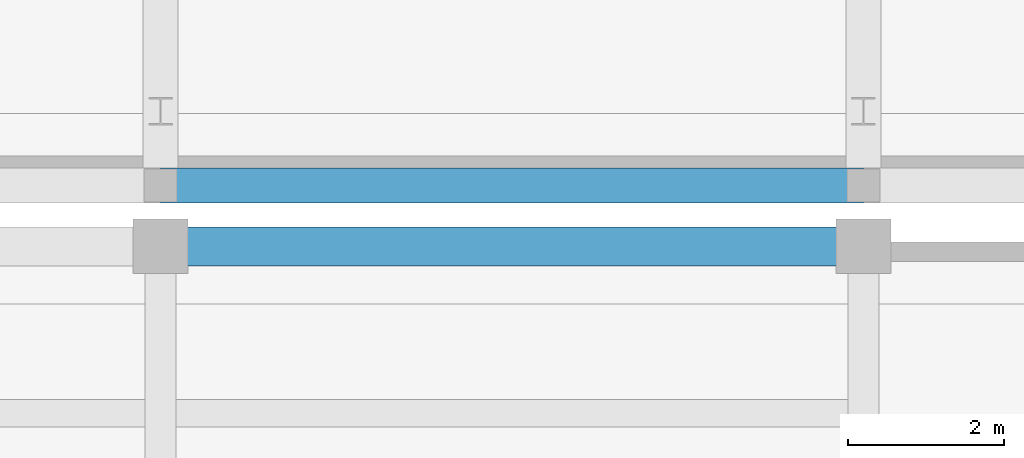
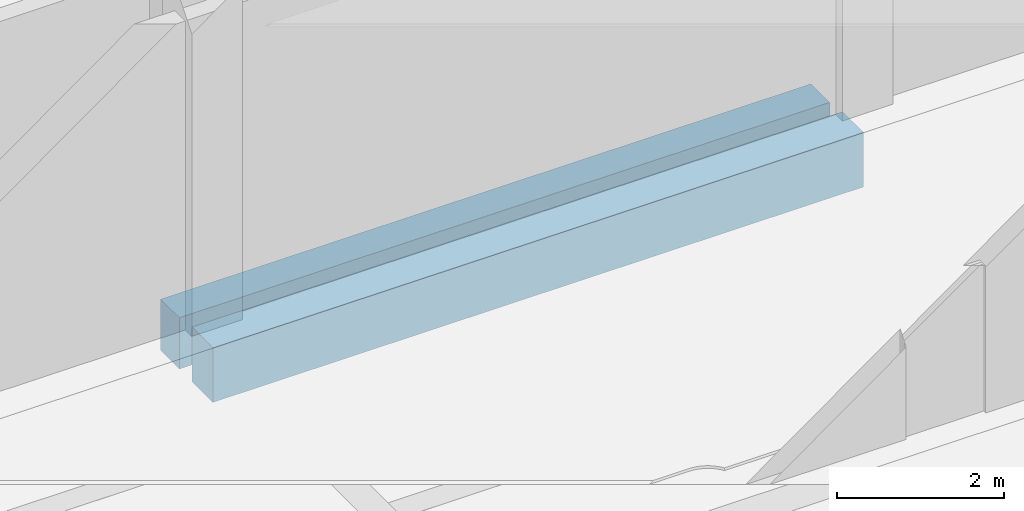
# One storey, part 85 of 151: 2 beams.
"""IFC4 building model written with IfcOpenShell, lengths in metres."""

import ifcopenshell
import ifcopenshell.guid

model = None  # the IFC model being written
_history = None  # IfcOwnerHistory: only IFC2X3 demands one
_inside = {}  # id of a spatial element -> (the spatial element, [elements in it])
_under = {}  # id of a project, library or spatial element -> (it, [spatial elements below it])
_declared = {}  # id of a project -> (the project, [libraries it declares])
_typed = {}  # id of a type object -> (the type object, [elements of that type])
_made_of = {}  # id of a material, layer set ... -> (it, [elements and type objects made of it])


def new_model(schema):
    """Start an empty IFC model of exactly this schema.

    Asked for "IFC4X3", IfcOpenShell would pick the latest addendum, in which some entities
    have other attributes; the version numbers below select the first issue.
    IFC2X3 requires an IfcOwnerHistory on every rooted entity: one is made here for all.
    """
    global model, _history
    if schema == "IFC4X3":
        model = ifcopenshell.file(schema_version=(4, 3, 0, 0))
    else:
        model = ifcopenshell.file(schema=schema)
    _inside.clear()
    _under.clear()
    _declared.clear()
    _typed.clear()
    _made_of.clear()
    _history = None
    if model.schema == "IFC2X3":
        org = make("IfcOrganization", Name="unknown")
        user = make(
            "IfcPersonAndOrganization",
            ThePerson=make("IfcPerson", FamilyName="unknown"),
            TheOrganization=org,
        )
        app = make(
            "IfcApplication",
            ApplicationDeveloper=org,
            Version="unknown",
            ApplicationFullName="unknown",
            ApplicationIdentifier="unknown",
        )
        _history = make(
            "IfcOwnerHistory",
            OwningUser=user,
            OwningApplication=app,
            ChangeAction="ADDED",
            CreationDate=0,
        )
    return model


def make(cls, **values):
    """One entity of the class cls with the attributes given. An attribute that is None is left unset."""
    return model.create_entity(
        cls, **{name: value for name, value in values.items() if value is not None}
    )


def rooted(cls, **values):
    """An entity with a GlobalId (a new one), such as an element, a storey or a relation."""
    return make(cls, GlobalId=ifcopenshell.guid.new(), OwnerHistory=_history, **values)


def si_unit(unit_type, name, prefix=None):
    """IfcSIUnit, for example si_unit("LENGTHUNIT", "METRE", prefix="MILLI")."""
    return make("IfcSIUnit", UnitType=unit_type, Prefix=prefix, Name=name)


def assignment(units):
    """IfcUnitAssignment: the units of a project."""
    return None if units is None else make("IfcUnitAssignment", Units=units)


def point(xyz):
    """IfcCartesianPoint."""
    return None if xyz is None else make("IfcCartesianPoint", Coordinates=xyz)


def direction(xyz):
    """IfcDirection."""
    return None if xyz is None else make("IfcDirection", DirectionRatios=xyz)


def frame(location, z_axis=None, x_axis=None):
    """IfcAxis2Placement3D, a coordinate frame: its origin and axes. An axis left out is left unset."""
    return make(
        "IfcAxis2Placement3D",
        Location=point(location),
        Axis=direction(z_axis),
        RefDirection=direction(x_axis),
    )


def frame_2d(location, x_axis=None):
    """IfcAxis2Placement2D, a coordinate frame in the plane: its origin and x axis."""
    return make(
        "IfcAxis2Placement2D", Location=point(location), RefDirection=direction(x_axis)
    )


def origin():
    """The frame at (0, 0, 0) with its axes left unset."""
    return frame((0.0, 0.0, 0.0))


def origin_2d():
    """The frame at (0, 0) in the plane with its x axis left unset."""
    return frame_2d((0.0, 0.0))


def place(relative_to, where):
    """IfcLocalPlacement: puts the frame where relative to a parent placement (None: the world)."""
    return make(
        "IfcLocalPlacement", PlacementRelTo=relative_to, RelativePlacement=where
    )


def context(
    kind, dimensions, precision=None, world=None, true_north=None, identifier=None
):
    """IfcGeometricRepresentationContext, for example the 3D "Model" context."""
    return make(
        "IfcGeometricRepresentationContext",
        ContextIdentifier=identifier,
        ContextType=kind,
        CoordinateSpaceDimension=dimensions,
        Precision=precision,
        WorldCoordinateSystem=world,
        TrueNorth=true_north,
    )


def subcontext(parent, identifier, kind, view, scale=None):
    """IfcGeometricRepresentationSubContext, for example "Body" below "Model"."""
    return make(
        "IfcGeometricRepresentationSubContext",
        ContextIdentifier=identifier,
        ContextType=kind,
        ParentContext=parent,
        TargetScale=scale,
        TargetView=view,
    )


def project(units=None, contexts=None):
    """IfcProject with its units and contexts."""
    return rooted(
        "IfcProject",
        Name="project",
        RepresentationContexts=contexts,
        UnitsInContext=assignment(units),
    )


def spatial(cls, under=None, at=None, **own):
    """A site, building, storey or space (cls), placed at a placement, below another one or the project."""
    s = rooted(cls, ObjectPlacement=at, **own)
    if under is not None:
        _under.setdefault(under.id(), (under, []))[1].append(s)
    return s


def profile(cls, at=None, kind="AREA", **sizes):
    """A parametric profile (cls). Its sizes go by their IFC names, for example OverallWidth=200.0."""
    return make(cls, ProfileType=kind, Position=at, **sizes)


def rectangle(**sizes):
    """IfcRectangleProfileDef."""
    return profile("IfcRectangleProfileDef", **sizes)


def extrude(swept, where, along, depth):
    """IfcExtrudedAreaSolid: the profile swept, set in the frame where, extruded along a direction by depth."""
    return make(
        "IfcExtrudedAreaSolid",
        SweptArea=swept,
        Position=where,
        ExtrudedDirection=direction(along),
        Depth=depth,
    )


def shape(context_of_items, identifier, shape_type, items):
    """IfcShapeRepresentation: the items that make up one representation, for example the "Body"."""
    return make(
        "IfcShapeRepresentation",
        ContextOfItems=context_of_items,
        RepresentationIdentifier=identifier,
        RepresentationType=shape_type,
        Items=items,
    )


def material(Name=None, Category=None):
    """IfcMaterial."""
    return make("IfcMaterial", Name=Name, Category=Category)


def material_profile(
    of_material, cross_section, Name=None, Category=None, Priority=None
):
    """IfcMaterialProfile: a cross section and its material."""
    return make(
        "IfcMaterialProfile",
        Name=Name,
        Material=of_material,
        Profile=cross_section,
        Priority=Priority,
        Category=Category,
    )


def profile_set(profiles, Name=None, composite=None):
    """IfcMaterialProfileSet."""
    return make(
        "IfcMaterialProfileSet",
        Name=Name,
        MaterialProfiles=profiles,
        CompositeProfile=composite,
    )


def made_of(thing, what):
    """Note that an element or type object is made of a material, layer set ...; save() writes the relation."""
    if what is not None:
        _made_of.setdefault(what.id(), (what, []))[1].append(thing)
    return thing


def type_object(cls, material=None, **own):
    """A type object (cls), such as IfcWallType, which elements share."""
    return made_of(rooted(cls, **own), material)


def element(
    cls,
    number,
    at=None,
    inside=None,
    cuts=None,
    type_object=None,
    material=None,
    context=None,
    identifier="Body",
    shape_type=None,
    held_by="IfcProductDefinitionShape",
    body=None,
    shapes=None,
    **own,
):
    """One element of the class cls, such as IfcWall. Its Tag is "e" and its number.

    at: its placement. inside: the storey or other place that contains it. cuts: it is an
    opening in that element (IfcRelVoidsElement). A single representation is given by context,
    identifier, shape_type and body (its items); several are given by shapes. held_by: the class
    of the entity that holds the representations. save() writes the other relations.
    """
    e = rooted(cls, Tag="e%d" % number, ObjectPlacement=at, **own)
    if body is not None:
        shapes = [shape(context, identifier, shape_type, body)]
    if shapes is not None:
        e.Representation = make(held_by, Representations=shapes)
    if inside is not None:
        _inside.setdefault(inside.id(), (inside, []))[1].append(e)
    if cuts is not None:
        rooted(
            "IfcRelVoidsElement", RelatingBuildingElement=cuts, RelatedOpeningElement=e
        )
    if type_object is not None:
        _typed.setdefault(type_object.id(), (type_object, []))[1].append(e)
    return made_of(e, material)


def aggregate(whole, parts):
    """IfcRelAggregates: a whole, such as a stair, and the parts it consists of."""
    return rooted("IfcRelAggregates", RelatingObject=whole, RelatedObjects=parts)


def save(model, path):
    """Write the relations noted so far, then the file.

    IfcRelAggregates (storeys below a building ...), IfcRelContainedInSpatialStructure (elements
    in a storey), IfcRelDefinesByType, IfcRelAssociatesMaterial and IfcRelDeclares: one each for
    every whole, place, type object, material and project.
    """
    for whole, parts in _under.values():
        aggregate(whole, parts)
    for where, things in _inside.values():
        rooted(
            "IfcRelContainedInSpatialStructure",
            RelatedElements=things,
            RelatingStructure=where,
        )
    for kind, things in _typed.values():
        rooted("IfcRelDefinesByType", RelatedObjects=things, RelatingType=kind)
    for what, things in _made_of.values():
        rooted("IfcRelAssociatesMaterial", RelatedObjects=things, RelatingMaterial=what)
    for by, libraries in _declared.values():
        rooted("IfcRelDeclares", RelatingContext=by, RelatedDefinitions=libraries)
    model.write(path)


model = new_model("IFC4")

# Units and contexts
model_context = context("Model", 3, precision=1e-05, world=origin(), true_north=direction((0.0, 1.0)))
body_context = subcontext(model_context, "Body", "Model", "MODEL_VIEW")
ifc_project = project(units=[si_unit("LENGTHUNIT", "METRE"), si_unit("AREAUNIT", "SQUARE_METRE"), si_unit("VOLUMEUNIT", "CUBIC_METRE"), si_unit("PLANEANGLEUNIT", "RADIAN"), si_unit("MASSUNIT", "GRAM", prefix="KILO")], contexts=[model_context])

# Site, building, storey
site_placement = place(None, origin())
site = spatial("IfcSite", under=ifc_project, at=site_placement, CompositionType="ELEMENT")
building_placement = place(site_placement, origin())
building = spatial("IfcBuilding", under=site, at=building_placement, Name="Chiffa Square Polytechnic", CompositionType="ELEMENT")
storey_placement = place(building_placement, origin())
storey = spatial("IfcBuildingStorey", under=building, at=storey_placement, Name="L00", CompositionType="ELEMENT", Elevation=0.0)

# Beams
ifc_material_1 = material(Name="Concrete C40/50", Category="concrete")
ifc_material_profile_1 = material_profile(ifc_material_1, rectangle(XDim=0.5, YDim=0.800048828125, at=origin_2d()), Name="RC 500x800")
ifc_profile_set_1 = profile_set([ifc_material_profile_1], Name="Concrete C40/50")
beam_type_1 = type_object("IfcBeamType", Name="BM-RC-500X800", PredefinedType="BEAM", material=ifc_profile_set_1)
beam_1_placement = place(storey_placement, frame((157.199951171875, 57.419921875, -0.75), z_axis=(1.0, 0.0, 0.0), x_axis=(0.0, 1.0, 0.0)))
element("IfcBeam", 1, at=beam_1_placement, inside=storey, type_object=beam_type_1, Name="Primary floor girder BM-V1-L00-X-1572-0574", PredefinedType="BEAM", context=body_context, shape_type="SweptSolid", body=[
    extrude(rectangle(XDim=0.5, YDim=0.800048828125, at=origin_2d()), origin(), (0.0, 0.0, 1.0), 9.0),
])
ifc_material_2 = material(Name="Concrete C35/45", Category="concrete")
ifc_material_profile_2 = material_profile(ifc_material_2, rectangle(XDim=0.449951171875, YDim=0.75, at=origin_2d()), Name="RC 450x750")
ifc_profile_set_2 = profile_set([ifc_material_profile_2], Name="Concrete C35/45")
beam_type_2 = type_object("IfcBeamType", Name="GB-RC-450X750", PredefinedType="BEAM", material=ifc_profile_set_2)
beam_2_placement = place(storey_placement, frame((157.199951171875, 58.199951171875, -0.77490234375), z_axis=(1.0, 0.0, 0.0), x_axis=(0.0, 1.0, 0.0)))
element("IfcBeam", 2, at=beam_2_placement, inside=storey, type_object=beam_type_2, Name="Ground tie beam GB-V2-X-006", PredefinedType="BEAM", context=body_context, shape_type="SweptSolid", body=[
    extrude(rectangle(XDim=0.449951171875, YDim=0.75, at=origin_2d()), origin(), (0.0, 0.0, 1.0), 9.0),
])

save(model, "model.ifc")
